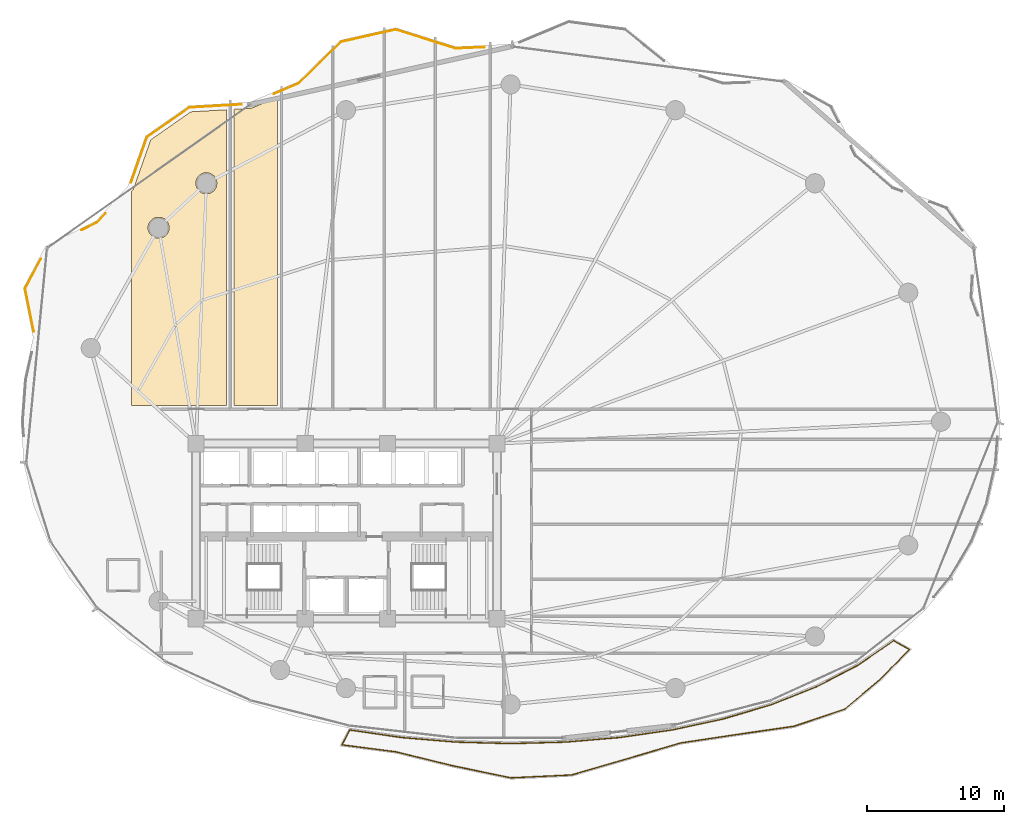
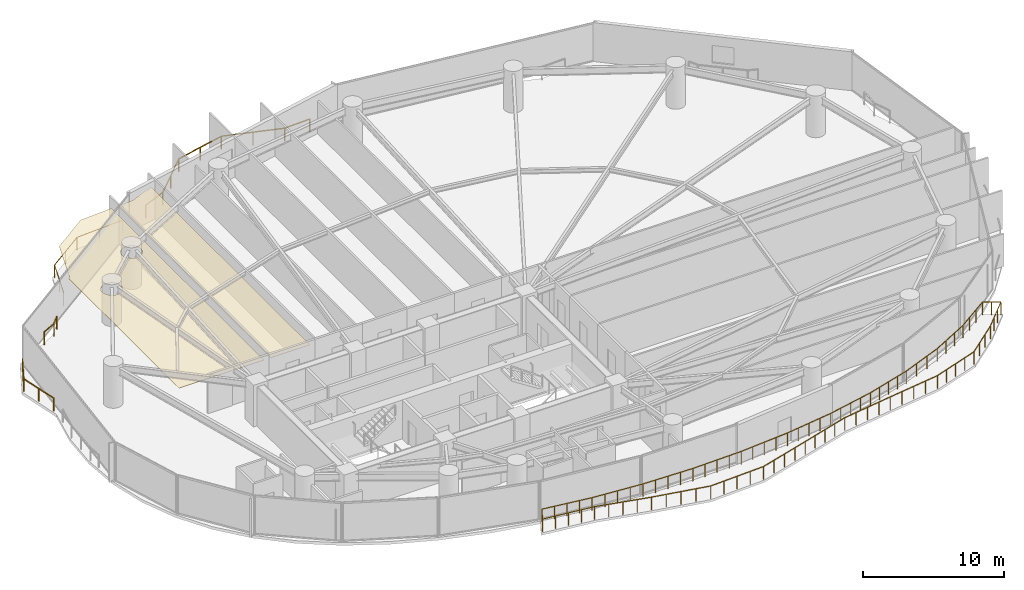
# One storey, part 31 of 32: 5 railings, 2 coverings.
"""IFC4 building model written with IfcOpenShell, lengths in metres."""

from ifc_helpers import new_model, si_unit, direction, frame, origin, origin_2d, place, context, subcontext, project, spatial, polyline, rectangle, outline, extrude, material, layer, layer_set, type_object, element, save


model = new_model("IFC4")

# Units and contexts
model_context = context("Model", 3, precision=1e-05, world=origin(), true_north=direction((0.0, 1.0)))
body_context = subcontext(model_context, "Body", "Model", "MODEL_VIEW")
ifc_project = project(units=[si_unit("LENGTHUNIT", "METRE"), si_unit("AREAUNIT", "SQUARE_METRE"), si_unit("VOLUMEUNIT", "CUBIC_METRE"), si_unit("PLANEANGLEUNIT", "RADIAN"), si_unit("MASSUNIT", "GRAM", prefix="KILO")], contexts=[model_context])

# Site, building, storey
site_placement = place(None, origin())
site = spatial("IfcSite", under=ifc_project, at=site_placement, CompositionType="ELEMENT")
building_placement = place(site_placement, origin())
building = spatial("IfcBuilding", under=site, at=building_placement, Name="Kazevale Care Tower and Concert Hall", CompositionType="ELEMENT")
storey_placement = place(building_placement, frame((0.0, 0.0, 34.800048828125)))
storey = spatial("IfcBuildingStorey", under=building, at=storey_placement, Name="L08", CompositionType="ELEMENT", Elevation=34.800048828125)

# Coverings
ifc_material_1 = material(Name="Acoustic Plaster and Hinoki Wood", Category="wood")
ifc_layer = layer(ifc_material_1, 0.0400390625)
ifc_layer_set = layer_set([ifc_layer], Name="Acoustic Plaster and Hinoki Wood")
covering_type = type_object("IfcCoveringType", Name="Acoustic Perforated Wood-Gypsum Ceiling", PredefinedType="CEILING", material=ifc_layer_set)
covering_1_placement = place(storey_placement, frame((0.0, 0.0, 2.7099609375)))
element("IfcCovering", 1, at=covering_1_placement, inside=storey, type_object=covering_type, Name="clg:L08:1", PredefinedType="CEILING", context=body_context, shape_type="SweptSolid", body=[
    extrude(outline(polyline([(24.219970703125, 60.805908203125), (24.219970703125, 39.205078125), (17.280029296875, 39.205078125), (17.280029296875, 54.822021484375), (17.4130859375, 54.966064453125), (18.69189453125, 58.60302734375), (21.6201171875, 60.652099609375), (24.219970703125, 60.805908203125)]), holes=[polyline([(23.48095703125, 55.72802734375), (23.31201171875, 55.98193359375), (23.05810546875, 56.15087890625), (22.760009765625, 56.2099609375), (22.4619140625, 56.15087890625), (22.2080078125, 55.98193359375), (22.0390625, 55.72802734375), (21.97998046875, 55.429931640625), (22.0390625, 55.132080078125), (22.2080078125, 54.8779296875), (22.4619140625, 54.708984375), (22.760009765625, 54.64990234375), (23.05810546875, 54.708984375), (23.31201171875, 54.8779296875), (23.48095703125, 55.132080078125), (23.5400390625, 55.429931640625), (23.48095703125, 55.72802734375)]), polyline([(20.034912109375, 52.33203125), (19.9189453125, 52.613037109375), (19.702880859375, 52.8291015625), (19.422119140625, 52.945068359375), (19.117919921875, 52.945068359375), (18.8369140625, 52.8291015625), (18.62109375, 52.613037109375), (18.5048828125, 52.33203125), (18.5048828125, 52.028076171875), (18.62109375, 51.7470703125), (18.8369140625, 51.531005859375), (19.117919921875, 51.4150390625), (19.422119140625, 51.4150390625), (19.702880859375, 51.531005859375), (19.9189453125, 51.7470703125), (20.034912109375, 52.028076171875), (20.034912109375, 52.33203125)])]), origin(), (0.0, 0.0, 1.0), 0.0400390625),
])
covering_2_placement = place(storey_placement, frame((0.0, 0.0, 2.7099609375)))
element("IfcCovering", 2, at=covering_2_placement, inside=storey, type_object=covering_type, Name="clg:L08:2", PredefinedType="CEILING", context=body_context, shape_type="SweptSolid", body=[
    extrude(outline(polyline([(24.780029296875, 39.205078125), (24.780029296875, 60.839111328125), (26.06005859375, 60.9150390625), (27.969970703125, 61.72900390625), (27.969970703125, 39.205078125), (24.780029296875, 39.205078125)])), origin(), (0.0, 0.0, 1.0), 0.0400390625),
])

# Railings
ifc_material_2 = material(Name="Anodised Bronze Aluminium and Laminated Glass", Category="aluminium")
railing_type = type_object("IfcRailingType", Name="Balcony and Terrace Balustrade 1120", PredefinedType="BALUSTRADE", material=ifc_material_2)
railing_1_placement = place(storey_placement, frame((10.15087890625, 44.5859375, 0.0)))
element("IfcRailing", 3, at=railing_1_placement, inside=storey, type_object=railing_type, Name="rail:L08:perim:2", PredefinedType="BALUSTRADE", context=body_context, shape_type="SweptSolid", body=[
    extrude(rectangle(XDim=0.048095703125, YDim=0.048095703125, at=origin_2d()), frame((0.0, 0.0, 1.09619140625), z_axis=(-0.197415517723, 0.980319903584, 0.0), x_axis=(-0.980319903584, -0.197415517723, 0.0)), (0.0, 0.0, 1.0), 3.21533203125),
    extrude(rectangle(XDim=0.048095703125, YDim=0.048095703125, at=origin_2d()), frame((-0.634765625, 3.152099609375, 1.09619140625), z_axis=(0.467294009077, 0.884101978892, 0.0), x_axis=(-0.884101978892, 0.467294009077, 0.0)), (0.0, 0.0, 1.0), 2.45654296875),
    extrude(rectangle(XDim=0.0419921875, YDim=0.0419921875, at=origin_2d()), origin(), (0.0, 0.0, 1.0), 1.072021484375),
    extrude(rectangle(XDim=0.0419921875, YDim=0.0419921875, at=origin_2d()), frame((-0.3173828125, 1.576171875, 0.0)), (0.0, 0.0, 1.0), 1.072021484375),
    extrude(rectangle(XDim=0.0419921875, YDim=0.0419921875, at=origin_2d()), frame((-0.634765625, 3.152099609375, 0.0)), (0.0, 0.0, 1.0), 1.072021484375),
    extrude(rectangle(XDim=0.0419921875, YDim=0.0419921875, at=origin_2d()), frame((-0.060791015625, 4.238037109375, 0.0)), (0.0, 0.0, 1.0), 1.072021484375),
    extrude(rectangle(XDim=0.0419921875, YDim=0.0419921875, at=origin_2d()), frame((0.51318359375, 5.323974609375, 0.0)), (0.0, 0.0, 1.0), 1.072021484375),
])
railing_2_placement = place(storey_placement, frame((13.639892578125, 52.0, 0.0)))
element("IfcRailing", 4, at=railing_2_placement, inside=storey, type_object=railing_type, Name="rail:L08:perim:3", PredefinedType="BALUSTRADE", context=body_context, shape_type="SweptSolid", body=[
    extrude(rectangle(XDim=0.048095703125, YDim=0.048095703125, at=origin_2d()), frame((0.0, 0.0, 1.09619140625), z_axis=(0.892998785329, 0.450059073235, 0.0), x_axis=(-0.450059073235, 0.892998785329, 0.0)), (0.0, 0.0, 1.0), 1.268798828125),
    extrude(rectangle(XDim=0.048095703125, YDim=0.048095703125, at=origin_2d()), frame((1.133056640625, 0.571044921875, 1.09619140625), z_axis=(0.677347108978, 0.735663573898, 0.0), x_axis=(-0.735663573898, 0.677347108978, 0.0)), (0.0, 0.0, 1.0), 0.8916015625),
    extrude(rectangle(XDim=0.0419921875, YDim=0.0419921875, at=origin_2d()), origin(), (0.0, 0.0, 1.0), 1.072021484375),
    extrude(rectangle(XDim=0.0419921875, YDim=0.0419921875, at=origin_2d()), frame((1.133056640625, 0.571044921875, 0.0)), (0.0, 0.0, 1.0), 1.072021484375),
    extrude(rectangle(XDim=0.0419921875, YDim=0.0419921875, at=origin_2d()), frame((1.737060546875, 1.22705078125, 0.0)), (0.0, 0.0, 1.0), 1.072021484375),
])
railing_3_placement = place(storey_placement, frame((17.256103515625, 55.485107421875, 0.0)))
element("IfcRailing", 5, at=railing_3_placement, inside=storey, type_object=railing_type, Name="rail:L08:perim:4", PredefinedType="BALUSTRADE", context=body_context, shape_type="SweptSolid", body=[
    extrude(rectangle(XDim=0.048095703125, YDim=0.048095703125, at=origin_2d()), frame((0.0, 0.0, 1.09619140625), z_axis=(0.331789638428, 0.943353399226, 0.0), x_axis=(-0.943353399226, 0.331789638428, 0.0)), (0.0, 0.0, 1.0), 3.520263671875),
    extrude(rectangle(XDim=0.048095703125, YDim=0.048095703125, at=origin_2d()), frame((1.16796875, 3.32080078125, 1.09619140625), z_axis=(0.819317150276, 0.573340568304, 0.0), x_axis=(-0.573340568304, 0.819317150276, 0.0)), (0.0, 0.0, 1.0), 3.767578125),
    extrude(rectangle(XDim=0.048095703125, YDim=0.048095703125, at=origin_2d()), frame((4.2548828125, 5.48095703125, 1.09619140625), z_axis=(0.998243706138, 0.05924105971, 0.0), x_axis=(-0.05924105971, 0.998243706138, 0.0)), (0.0, 0.0, 1.0), 3.832763671875),
    extrude(rectangle(XDim=0.0419921875, YDim=0.0419921875, at=origin_2d()), origin(), (0.0, 0.0, 1.0), 1.072021484375),
    extrude(rectangle(XDim=0.0419921875, YDim=0.0419921875, at=origin_2d()), frame((0.583984375, 1.660400390625, 0.0)), (0.0, 0.0, 1.0), 1.072021484375),
    extrude(rectangle(XDim=0.0419921875, YDim=0.0419921875, at=origin_2d()), frame((1.16796875, 3.32080078125, 0.0)), (0.0, 0.0, 1.0), 1.072021484375),
    extrude(rectangle(XDim=0.0419921875, YDim=0.0419921875, at=origin_2d()), frame((2.71142578125, 4.40087890625, 0.0)), (0.0, 0.0, 1.0), 1.072021484375),
    extrude(rectangle(XDim=0.0419921875, YDim=0.0419921875, at=origin_2d()), frame((4.2548828125, 5.48095703125, 0.0)), (0.0, 0.0, 1.0), 1.072021484375),
    extrude(rectangle(XDim=0.0419921875, YDim=0.0419921875, at=origin_2d()), frame((6.16796875, 5.594482421875, 0.0)), (0.0, 0.0, 1.0), 1.072021484375),
    extrude(rectangle(XDim=0.0419921875, YDim=0.0419921875, at=origin_2d()), frame((8.080810546875, 5.7080078125, 0.0)), (0.0, 0.0, 1.0), 1.072021484375),
])
railing_4_placement = place(storey_placement, frame((27.69091796875, 61.9580078125, 0.0)))
element("IfcRailing", 6, at=railing_4_placement, inside=storey, type_object=railing_type, Name="rail:L08:perim:5", PredefinedType="BALUSTRADE", context=body_context, shape_type="SweptSolid", body=[
    extrude(rectangle(XDim=0.048095703125, YDim=0.048095703125, at=origin_2d()), frame((0.0, 0.0, 1.09619140625), z_axis=(0.920032063091, 0.391843084517, 0.0), x_axis=(-0.391843084517, 0.920032063091, 0.0)), (0.0, 0.0, 1.0), 2.01611328125),
    extrude(rectangle(XDim=0.048095703125, YDim=0.048095703125, at=origin_2d()), frame((1.85498046875, 0.7900390625, 1.09619140625), z_axis=(0.711782228396, 0.702400213083, 0.0), x_axis=(-0.702400213083, 0.711782228396, 0.0)), (0.0, 0.0, 1.0), 4.293701171875),
    extrude(rectangle(XDim=0.048095703125, YDim=0.048095703125, at=origin_2d()), frame((4.9111328125, 3.805908203125, 1.09619140625), z_axis=(0.975507116128, 0.219967875798, 0.0), x_axis=(-0.219967875798, 0.975507116128, 0.0)), (0.0, 0.0, 1.0), 4.09228515625),
    extrude(rectangle(XDim=0.048095703125, YDim=0.048095703125, at=origin_2d()), frame((8.903076171875, 4.7060546875, 1.09619140625), z_axis=(0.953872379176, -0.300212398553, 0.0), x_axis=(0.300212398553, 0.953872379176, 0.0)), (0.0, 0.0, 1.0), 4.590576171875),
    extrude(rectangle(XDim=0.048095703125, YDim=0.048095703125, at=origin_2d()), frame((13.281982421875, 3.327880859375, 1.09619140625), z_axis=(0.999070924125, 0.043096270926, 0.0), x_axis=(-0.043096270926, 0.999070924125, 0.0)), (0.0, 0.0, 1.0), 2.113037109375),
    extrude(rectangle(XDim=0.0419921875, YDim=0.0419921875, at=origin_2d()), origin(), (0.0, 0.0, 1.0), 1.072021484375),
    extrude(rectangle(XDim=0.0419921875, YDim=0.0419921875, at=origin_2d()), frame((1.85498046875, 0.7900390625, 0.0)), (0.0, 0.0, 1.0), 1.072021484375),
    extrude(rectangle(XDim=0.0419921875, YDim=0.0419921875, at=origin_2d()), frame((3.383056640625, 2.2978515625, 0.0)), (0.0, 0.0, 1.0), 1.072021484375),
    extrude(rectangle(XDim=0.0419921875, YDim=0.0419921875, at=origin_2d()), frame((4.9111328125, 3.805908203125, 0.0)), (0.0, 0.0, 1.0), 1.072021484375),
    extrude(rectangle(XDim=0.0419921875, YDim=0.0419921875, at=origin_2d()), frame((6.9072265625, 4.255859375, 0.0)), (0.0, 0.0, 1.0), 1.072021484375),
    extrude(rectangle(XDim=0.0419921875, YDim=0.0419921875, at=origin_2d()), frame((8.903076171875, 4.7060546875, 0.0)), (0.0, 0.0, 1.0), 1.072021484375),
    extrude(rectangle(XDim=0.0419921875, YDim=0.0419921875, at=origin_2d()), frame((11.092529296875, 4.01708984375, 0.0)), (0.0, 0.0, 1.0), 1.072021484375),
    extrude(rectangle(XDim=0.0419921875, YDim=0.0419921875, at=origin_2d()), frame((13.281982421875, 3.327880859375, 0.0)), (0.0, 0.0, 1.0), 1.072021484375),
    extrude(rectangle(XDim=0.0419921875, YDim=0.0419921875, at=origin_2d()), frame((15.39306640625, 3.4189453125, 0.0)), (0.0, 0.0, 1.0), 1.072021484375),
])
railing_5_placement = place(storey_placement, frame((33.239990234375, 15.469970703125, 0.0)))
element("IfcRailing", 7, at=railing_5_placement, inside=storey, type_object=railing_type, Name="rail:L08:balcony", PredefinedType="BALUSTRADE", context=body_context, shape_type="SweptSolid", body=[
    extrude(rectangle(XDim=0.048095703125, YDim=0.048095703125, at=origin_2d()), frame((0.0, 0.0, 1.09619140625), z_axis=(0.98954153526, -0.144248223541, 0.0), x_axis=(0.144248223541, 0.98954153526, 0.0)), (0.0, 0.0, 1.0), 3.820068359375),
    extrude(rectangle(XDim=0.048095703125, YDim=0.048095703125, at=origin_2d()), frame((3.780029296875, -0.551025390625, 1.09619140625), z_axis=(0.996491809711, -0.083690341016, 0.0), x_axis=(0.083690341016, 0.996491809711, 0.0)), (0.0, 0.0, 1.0), 3.97900390625),
    extrude(rectangle(XDim=0.048095703125, YDim=0.048095703125, at=origin_2d()), frame((7.7451171875, -0.884033203125, 1.09619140625), z_axis=(0.999619139625, -0.027596660954, 0.0), x_axis=(0.027596660954, 0.999619139625, 0.0)), (0.0, 0.0, 1.0), 4.016357421875),
    extrude(rectangle(XDim=0.048095703125, YDim=0.048095703125, at=origin_2d()), frame((11.760009765625, -0.994873046875, 1.09619140625), z_axis=(0.999619139625, 0.027596660954, 0.0), x_axis=(-0.027596660954, 0.999619139625, 0.0)), (0.0, 0.0, 1.0), 4.016357421875),
    extrude(rectangle(XDim=0.048095703125, YDim=0.048095703125, at=origin_2d()), frame((15.77490234375, -0.884033203125, 1.09619140625), z_axis=(0.996491809711, 0.083690341016, 0.0), x_axis=(-0.083690341016, 0.996491809711, 0.0)), (0.0, 0.0, 1.0), 3.97900390625),
    extrude(rectangle(XDim=0.048095703125, YDim=0.048095703125, at=origin_2d()), frame((19.739990234375, -0.551025390625, 1.09619140625), z_axis=(0.989562148583, 0.144106745477, 0.0), x_axis=(-0.144106745477, 0.989562148583, 0.0)), (0.0, 0.0, 1.0), 3.90673828125),
    extrude(rectangle(XDim=0.048095703125, YDim=0.048095703125, at=origin_2d()), frame((23.60595703125, 0.011962890625, 1.09619140625), z_axis=(0.977622623243, 0.210366362622, 0.0), x_axis=(-0.210366362622, 0.977622623243, 0.0)), (0.0, 0.0, 1.0), 3.80322265625),
    extrude(rectangle(XDim=0.048095703125, YDim=0.048095703125, at=origin_2d()), frame((27.323974609375, 0.81201171875, 1.09619140625), z_axis=(0.958576059845, 0.28483668565, 0.0), x_axis=(-0.28483668565, 0.958576059845, 0.0)), (0.0, 0.0, 1.0), 3.67626953125),
    extrude(rectangle(XDim=0.048095703125, YDim=0.048095703125, at=origin_2d()), frame((30.847900390625, 1.859130859375, 1.09619140625), z_axis=(0.929364745906, 0.369162794803, 0.0), x_axis=(-0.369162794803, 0.929364745906, 0.0)), (0.0, 0.0, 1.0), 3.534912109375),
    extrude(rectangle(XDim=0.048095703125, YDim=0.048095703125, at=origin_2d()), frame((34.133056640625, 3.1640625, 1.09619140625), z_axis=(0.886249621896, 0.463207952965, 0.0), x_axis=(-0.463207952965, 0.886249621896, 0.0)), (0.0, 0.0, 1.0), 3.3916015625),
    extrude(rectangle(XDim=0.048095703125, YDim=0.048095703125, at=origin_2d()), frame((37.138916015625, 4.735107421875, 1.09619140625), z_axis=(0.825224295989, 0.564805153402, 0.0), x_axis=(-0.564805153402, 0.825224295989, 0.0)), (0.0, 0.0, 1.0), 3.17626953125),
    extrude(rectangle(XDim=0.048095703125, YDim=0.048095703125, at=origin_2d()), frame((39.760009765625, 6.529052734375, 1.09619140625), z_axis=(0.870142170269, -0.492800774673, 0.0), x_axis=(0.492800774673, 0.870142170269, 0.0)), (0.0, 0.0, 1.0), 1.308837890625),
    extrude(rectangle(XDim=0.048095703125, YDim=0.048095703125, at=origin_2d()), frame((40.89892578125, 5.884033203125, 1.09619140625), z_axis=(-0.695721865132, -0.718311274016, 0.0), x_axis=(0.718311274016, -0.695721865132, 0.0)), (0.0, 0.0, 1.0), 3.05859375),
    extrude(rectangle(XDim=0.048095703125, YDim=0.048095703125, at=origin_2d()), frame((38.77099609375, 3.68701171875, 1.09619140625), z_axis=(-0.767634241032, -0.640888189932, 0.0), x_axis=(0.640888189932, -0.767634241032, 0.0)), (0.0, 0.0, 1.0), 3.376708984375),
    extrude(rectangle(XDim=0.048095703125, YDim=0.048095703125, at=origin_2d()), frame((36.178955078125, 1.52294921875, 1.09619140625), z_axis=(-0.947403436309, -0.320041761133, 0.0), x_axis=(0.320041761133, -0.947403436309, 0.0)), (0.0, 0.0, 1.0), 3.914794921875),
    extrude(rectangle(XDim=0.048095703125, YDim=0.048095703125, at=origin_2d()), frame((32.469970703125, 0.27001953125, 1.09619140625), z_axis=(-0.989839823031, -0.142186935905, 0.0), x_axis=(0.142186935905, -0.989839823031, 0.0)), (0.0, 0.0, 1.0), 4.240966796875),
    extrude(rectangle(XDim=0.048095703125, YDim=0.048095703125, at=origin_2d()), frame((28.27197265625, -0.3330078125, 1.09619140625), z_axis=(-0.988905087937, -0.148548736289, 0.0), x_axis=(0.148548736289, -0.988905087937, 0.0)), (0.0, 0.0, 1.0), 4.126953125),
    extrude(rectangle(XDim=0.048095703125, YDim=0.048095703125, at=origin_2d()), frame((24.19091796875, -0.946044921875, 1.09619140625), z_axis=(-0.958908826329, -0.283714403561, 0.0), x_axis=(0.283714403561, -0.958908826329, 0.0)), (0.0, 0.0, 1.0), 4.046142578125),
    extrude(rectangle(XDim=0.048095703125, YDim=0.048095703125, at=origin_2d()), frame((20.31103515625, -2.093994140625, 1.09619140625), z_axis=(-0.960174974734, -0.279399387785, 0.0), x_axis=(0.279399387785, -0.960174974734, 0.0)), (0.0, 0.0, 1.0), 4.27734375),
    extrude(rectangle(XDim=0.048095703125, YDim=0.048095703125, at=origin_2d()), frame((16.2041015625, -3.2890625, 1.09619140625), z_axis=(-0.99890148555, -0.046859600577, 0.0), x_axis=(0.046859600577, -0.99890148555, 0.0)), (0.0, 0.0, 1.0), 4.43896484375),
    extrude(rectangle(XDim=0.048095703125, YDim=0.048095703125, at=origin_2d()), frame((11.77001953125, -3.4970703125, 1.09619140625), z_axis=(-0.978962039313, 0.204042460247, 0.0), x_axis=(-0.204042460247, -0.978962039313, 0.0)), (0.0, 0.0, 1.0), 4.421142578125),
    extrude(rectangle(XDim=0.048095703125, YDim=0.048095703125, at=origin_2d()), frame((7.44189453125, -2.594970703125, 1.09619140625), z_axis=(-0.971211606487, 0.238218419574, 0.0), x_axis=(-0.238218419574, -0.971211606487, 0.0)), (0.0, 0.0, 1.0), 4.19384765625),
    extrude(rectangle(XDim=0.048095703125, YDim=0.048095703125, at=origin_2d()), frame((3.368896484375, -1.595947265625, 1.09619140625), z_axis=(-0.991702506662, 0.128554028641, 0.0), x_axis=(-0.128554028641, -0.991702506662, 0.0)), (0.0, 0.0, 1.0), 3.974853515625),
    extrude(rectangle(XDim=0.048095703125, YDim=0.048095703125, at=origin_2d()), frame((-0.572998046875, -1.0849609375, 1.09619140625), z_axis=(0.467000689619, 0.884256951285, 0.0), x_axis=(-0.884256951285, 0.467000689619, 0.0)), (0.0, 0.0, 1.0), 1.22705078125),
    extrude(rectangle(XDim=0.0419921875, YDim=0.0419921875, at=origin_2d()), origin(), (0.0, 0.0, 1.0), 1.072021484375),
    extrude(rectangle(XDim=0.0419921875, YDim=0.0419921875, at=origin_2d()), frame((0.945068359375, -0.1376953125, 0.0)), (0.0, 0.0, 1.0), 1.072021484375),
    extrude(rectangle(XDim=0.0419921875, YDim=0.0419921875, at=origin_2d()), frame((1.89013671875, -0.275390625, 0.0)), (0.0, 0.0, 1.0), 1.072021484375),
    extrude(rectangle(XDim=0.0419921875, YDim=0.0419921875, at=origin_2d()), frame((2.8349609375, -0.413330078125, 0.0)), (0.0, 0.0, 1.0), 1.072021484375),
    extrude(rectangle(XDim=0.0419921875, YDim=0.0419921875, at=origin_2d()), frame((3.780029296875, -0.551025390625, 0.0)), (0.0, 0.0, 1.0), 1.072021484375),
    extrude(rectangle(XDim=0.0419921875, YDim=0.0419921875, at=origin_2d()), frame((4.771240234375, -0.63427734375, 0.0)), (0.0, 0.0, 1.0), 1.072021484375),
    extrude(rectangle(XDim=0.0419921875, YDim=0.0419921875, at=origin_2d()), frame((5.7626953125, -0.717529296875, 0.0)), (0.0, 0.0, 1.0), 1.072021484375),
    extrude(rectangle(XDim=0.0419921875, YDim=0.0419921875, at=origin_2d()), frame((6.75390625, -0.80078125, 0.0)), (0.0, 0.0, 1.0), 1.072021484375),
    extrude(rectangle(XDim=0.0419921875, YDim=0.0419921875, at=origin_2d()), frame((7.7451171875, -0.884033203125, 0.0)), (0.0, 0.0, 1.0), 1.072021484375),
    extrude(rectangle(XDim=0.0419921875, YDim=0.0419921875, at=origin_2d()), frame((8.748779296875, -0.91162109375, 0.0)), (0.0, 0.0, 1.0), 1.072021484375),
    extrude(rectangle(XDim=0.0419921875, YDim=0.0419921875, at=origin_2d()), frame((9.75244140625, -0.939453125, 0.0)), (0.0, 0.0, 1.0), 1.072021484375),
    extrude(rectangle(XDim=0.0419921875, YDim=0.0419921875, at=origin_2d()), frame((10.75634765625, -0.96728515625, 0.0)), (0.0, 0.0, 1.0), 1.072021484375),
    extrude(rectangle(XDim=0.0419921875, YDim=0.0419921875, at=origin_2d()), frame((11.760009765625, -0.994873046875, 0.0)), (0.0, 0.0, 1.0), 1.072021484375),
    extrude(rectangle(XDim=0.0419921875, YDim=0.0419921875, at=origin_2d()), frame((12.763671875, -0.96728515625, 0.0)), (0.0, 0.0, 1.0), 1.072021484375),
    extrude(rectangle(XDim=0.0419921875, YDim=0.0419921875, at=origin_2d()), frame((13.767578125, -0.939453125, 0.0)), (0.0, 0.0, 1.0), 1.072021484375),
    extrude(rectangle(XDim=0.0419921875, YDim=0.0419921875, at=origin_2d()), frame((14.771240234375, -0.91162109375, 0.0)), (0.0, 0.0, 1.0), 1.072021484375),
    extrude(rectangle(XDim=0.0419921875, YDim=0.0419921875, at=origin_2d()), frame((15.77490234375, -0.884033203125, 0.0)), (0.0, 0.0, 1.0), 1.072021484375),
    extrude(rectangle(XDim=0.0419921875, YDim=0.0419921875, at=origin_2d()), frame((16.76611328125, -0.80078125, 0.0)), (0.0, 0.0, 1.0), 1.072021484375),
    extrude(rectangle(XDim=0.0419921875, YDim=0.0419921875, at=origin_2d()), frame((17.75732421875, -0.717529296875, 0.0)), (0.0, 0.0, 1.0), 1.072021484375),
    extrude(rectangle(XDim=0.0419921875, YDim=0.0419921875, at=origin_2d()), frame((18.748779296875, -0.63427734375, 0.0)), (0.0, 0.0, 1.0), 1.072021484375),
    extrude(rectangle(XDim=0.0419921875, YDim=0.0419921875, at=origin_2d()), frame((19.739990234375, -0.551025390625, 0.0)), (0.0, 0.0, 1.0), 1.072021484375),
    extrude(rectangle(XDim=0.0419921875, YDim=0.0419921875, at=origin_2d()), frame((20.70654296875, -0.41015625, 0.0)), (0.0, 0.0, 1.0), 1.072021484375),
    extrude(rectangle(XDim=0.0419921875, YDim=0.0419921875, at=origin_2d()), frame((21.6728515625, -0.26953125, 0.0)), (0.0, 0.0, 1.0), 1.072021484375),
    extrude(rectangle(XDim=0.0419921875, YDim=0.0419921875, at=origin_2d()), frame((22.639404296875, -0.12890625, 0.0)), (0.0, 0.0, 1.0), 1.072021484375),
    extrude(rectangle(XDim=0.0419921875, YDim=0.0419921875, at=origin_2d()), frame((23.60595703125, 0.011962890625, 0.0)), (0.0, 0.0, 1.0), 1.072021484375),
    extrude(rectangle(XDim=0.0419921875, YDim=0.0419921875, at=origin_2d()), frame((24.535400390625, 0.2119140625, 0.0)), (0.0, 0.0, 1.0), 1.072021484375),
    extrude(rectangle(XDim=0.0419921875, YDim=0.0419921875, at=origin_2d()), frame((25.46484375, 0.412109375, 0.0)), (0.0, 0.0, 1.0), 1.072021484375),
    extrude(rectangle(XDim=0.0419921875, YDim=0.0419921875, at=origin_2d()), frame((26.39453125, 0.612060546875, 0.0)), (0.0, 0.0, 1.0), 1.072021484375),
    extrude(rectangle(XDim=0.0419921875, YDim=0.0419921875, at=origin_2d()), frame((27.323974609375, 0.81201171875, 0.0)), (0.0, 0.0, 1.0), 1.072021484375),
    extrude(rectangle(XDim=0.0419921875, YDim=0.0419921875, at=origin_2d()), frame((28.205078125, 1.07373046875, 0.0)), (0.0, 0.0, 1.0), 1.072021484375),
    extrude(rectangle(XDim=0.0419921875, YDim=0.0419921875, at=origin_2d()), frame((29.0859375, 1.33544921875, 0.0)), (0.0, 0.0, 1.0), 1.072021484375),
    extrude(rectangle(XDim=0.0419921875, YDim=0.0419921875, at=origin_2d()), frame((29.966796875, 1.597412109375, 0.0)), (0.0, 0.0, 1.0), 1.072021484375),
    extrude(rectangle(XDim=0.0419921875, YDim=0.0419921875, at=origin_2d()), frame((30.847900390625, 1.859130859375, 0.0)), (0.0, 0.0, 1.0), 1.072021484375),
    extrude(rectangle(XDim=0.0419921875, YDim=0.0419921875, at=origin_2d()), frame((31.94287109375, 2.294189453125, 0.0)), (0.0, 0.0, 1.0), 1.072021484375),
    extrude(rectangle(XDim=0.0419921875, YDim=0.0419921875, at=origin_2d()), frame((33.0380859375, 2.72900390625, 0.0)), (0.0, 0.0, 1.0), 1.072021484375),
    extrude(rectangle(XDim=0.0419921875, YDim=0.0419921875, at=origin_2d()), frame((34.133056640625, 3.1640625, 0.0)), (0.0, 0.0, 1.0), 1.072021484375),
    extrude(rectangle(XDim=0.0419921875, YDim=0.0419921875, at=origin_2d()), frame((35.135009765625, 3.687744140625, 0.0)), (0.0, 0.0, 1.0), 1.072021484375),
    extrude(rectangle(XDim=0.0419921875, YDim=0.0419921875, at=origin_2d()), frame((36.136962890625, 4.21142578125, 0.0)), (0.0, 0.0, 1.0), 1.072021484375),
    extrude(rectangle(XDim=0.0419921875, YDim=0.0419921875, at=origin_2d()), frame((37.138916015625, 4.735107421875, 0.0)), (0.0, 0.0, 1.0), 1.072021484375),
    extrude(rectangle(XDim=0.0419921875, YDim=0.0419921875, at=origin_2d()), frame((38.0126953125, 5.3330078125, 0.0)), (0.0, 0.0, 1.0), 1.072021484375),
    extrude(rectangle(XDim=0.0419921875, YDim=0.0419921875, at=origin_2d()), frame((38.88623046875, 5.93115234375, 0.0)), (0.0, 0.0, 1.0), 1.072021484375),
    extrude(rectangle(XDim=0.0419921875, YDim=0.0419921875, at=origin_2d()), frame((39.760009765625, 6.529052734375, 0.0)), (0.0, 0.0, 1.0), 1.072021484375),
    extrude(rectangle(XDim=0.0419921875, YDim=0.0419921875, at=origin_2d()), frame((40.32958984375, 6.20654296875, 0.0)), (0.0, 0.0, 1.0), 1.072021484375),
    extrude(rectangle(XDim=0.0419921875, YDim=0.0419921875, at=origin_2d()), frame((40.89892578125, 5.884033203125, 0.0)), (0.0, 0.0, 1.0), 1.072021484375),
    extrude(rectangle(XDim=0.0419921875, YDim=0.0419921875, at=origin_2d()), frame((40.189697265625, 5.151611328125, 0.0)), (0.0, 0.0, 1.0), 1.072021484375),
    extrude(rectangle(XDim=0.0419921875, YDim=0.0419921875, at=origin_2d()), frame((39.480224609375, 4.41943359375, 0.0)), (0.0, 0.0, 1.0), 1.072021484375),
    extrude(rectangle(XDim=0.0419921875, YDim=0.0419921875, at=origin_2d()), frame((38.77099609375, 3.68701171875, 0.0)), (0.0, 0.0, 1.0), 1.072021484375),
    extrude(rectangle(XDim=0.0419921875, YDim=0.0419921875, at=origin_2d()), frame((37.906982421875, 2.965576171875, 0.0)), (0.0, 0.0, 1.0), 1.072021484375),
    extrude(rectangle(XDim=0.0419921875, YDim=0.0419921875, at=origin_2d()), frame((37.04296875, 2.244384765625, 0.0)), (0.0, 0.0, 1.0), 1.072021484375),
    extrude(rectangle(XDim=0.0419921875, YDim=0.0419921875, at=origin_2d()), frame((36.178955078125, 1.52294921875, 0.0)), (0.0, 0.0, 1.0), 1.072021484375),
    extrude(rectangle(XDim=0.0419921875, YDim=0.0419921875, at=origin_2d()), frame((35.251708984375, 1.209716796875, 0.0)), (0.0, 0.0, 1.0), 1.072021484375),
    extrude(rectangle(XDim=0.0419921875, YDim=0.0419921875, at=origin_2d()), frame((34.324462890625, 0.896484375, 0.0)), (0.0, 0.0, 1.0), 1.072021484375),
    extrude(rectangle(XDim=0.0419921875, YDim=0.0419921875, at=origin_2d()), frame((33.397216796875, 0.583251953125, 0.0)), (0.0, 0.0, 1.0), 1.072021484375),
    extrude(rectangle(XDim=0.0419921875, YDim=0.0419921875, at=origin_2d()), frame((32.469970703125, 0.27001953125, 0.0)), (0.0, 0.0, 1.0), 1.072021484375),
    extrude(rectangle(XDim=0.0419921875, YDim=0.0419921875, at=origin_2d()), frame((31.42041015625, 0.119140625, 0.0)), (0.0, 0.0, 1.0), 1.072021484375),
    extrude(rectangle(XDim=0.0419921875, YDim=0.0419921875, at=origin_2d()), frame((30.37109375, -0.031494140625, 0.0)), (0.0, 0.0, 1.0), 1.072021484375),
    extrude(rectangle(XDim=0.0419921875, YDim=0.0419921875, at=origin_2d()), frame((29.321533203125, -0.18212890625, 0.0)), (0.0, 0.0, 1.0), 1.072021484375),
    extrude(rectangle(XDim=0.0419921875, YDim=0.0419921875, at=origin_2d()), frame((28.27197265625, -0.3330078125, 0.0)), (0.0, 0.0, 1.0), 1.072021484375),
    extrude(rectangle(XDim=0.0419921875, YDim=0.0419921875, at=origin_2d()), frame((27.251708984375, -0.486328125, 0.0)), (0.0, 0.0, 1.0), 1.072021484375),
    extrude(rectangle(XDim=0.0419921875, YDim=0.0419921875, at=origin_2d()), frame((26.2314453125, -0.6396484375, 0.0)), (0.0, 0.0, 1.0), 1.072021484375),
    extrude(rectangle(XDim=0.0419921875, YDim=0.0419921875, at=origin_2d()), frame((25.211181640625, -0.792724609375, 0.0)), (0.0, 0.0, 1.0), 1.072021484375),
    extrude(rectangle(XDim=0.0419921875, YDim=0.0419921875, at=origin_2d()), frame((24.19091796875, -0.946044921875, 0.0)), (0.0, 0.0, 1.0), 1.072021484375),
    extrude(rectangle(XDim=0.0419921875, YDim=0.0419921875, at=origin_2d()), frame((23.220947265625, -1.23291015625, 0.0)), (0.0, 0.0, 1.0), 1.072021484375),
    extrude(rectangle(XDim=0.0419921875, YDim=0.0419921875, at=origin_2d()), frame((22.2509765625, -1.52001953125, 0.0)), (0.0, 0.0, 1.0), 1.072021484375),
    extrude(rectangle(XDim=0.0419921875, YDim=0.0419921875, at=origin_2d()), frame((21.281005859375, -1.80712890625, 0.0)), (0.0, 0.0, 1.0), 1.072021484375),
    extrude(rectangle(XDim=0.0419921875, YDim=0.0419921875, at=origin_2d()), frame((20.31103515625, -2.093994140625, 0.0)), (0.0, 0.0, 1.0), 1.072021484375),
    extrude(rectangle(XDim=0.0419921875, YDim=0.0419921875, at=origin_2d()), frame((19.2841796875, -2.392822265625, 0.0)), (0.0, 0.0, 1.0), 1.072021484375),
    extrude(rectangle(XDim=0.0419921875, YDim=0.0419921875, at=origin_2d()), frame((18.257568359375, -2.69140625, 0.0)), (0.0, 0.0, 1.0), 1.072021484375),
    extrude(rectangle(XDim=0.0419921875, YDim=0.0419921875, at=origin_2d()), frame((17.23095703125, -2.990234375, 0.0)), (0.0, 0.0, 1.0), 1.072021484375),
    extrude(rectangle(XDim=0.0419921875, YDim=0.0419921875, at=origin_2d()), frame((16.2041015625, -3.2890625, 0.0)), (0.0, 0.0, 1.0), 1.072021484375),
    extrude(rectangle(XDim=0.0419921875, YDim=0.0419921875, at=origin_2d()), frame((15.095703125, -3.341064453125, 0.0)), (0.0, 0.0, 1.0), 1.072021484375),
    extrude(rectangle(XDim=0.0419921875, YDim=0.0419921875, at=origin_2d()), frame((13.987060546875, -3.39306640625, 0.0)), (0.0, 0.0, 1.0), 1.072021484375),
    extrude(rectangle(XDim=0.0419921875, YDim=0.0419921875, at=origin_2d()), frame((12.87841796875, -3.445068359375, 0.0)), (0.0, 0.0, 1.0), 1.072021484375),
    extrude(rectangle(XDim=0.0419921875, YDim=0.0419921875, at=origin_2d()), frame((11.77001953125, -3.4970703125, 0.0)), (0.0, 0.0, 1.0), 1.072021484375),
    extrude(rectangle(XDim=0.0419921875, YDim=0.0419921875, at=origin_2d()), frame((10.68798828125, -3.271484375, 0.0)), (0.0, 0.0, 1.0), 1.072021484375),
    extrude(rectangle(XDim=0.0419921875, YDim=0.0419921875, at=origin_2d()), frame((9.60595703125, -3.0458984375, 0.0)), (0.0, 0.0, 1.0), 1.072021484375),
    extrude(rectangle(XDim=0.0419921875, YDim=0.0419921875, at=origin_2d()), frame((8.52392578125, -2.820556640625, 0.0)), (0.0, 0.0, 1.0), 1.072021484375),
    extrude(rectangle(XDim=0.0419921875, YDim=0.0419921875, at=origin_2d()), frame((7.44189453125, -2.594970703125, 0.0)), (0.0, 0.0, 1.0), 1.072021484375),
    extrude(rectangle(XDim=0.0419921875, YDim=0.0419921875, at=origin_2d()), frame((6.423583984375, -2.34521484375, 0.0)), (0.0, 0.0, 1.0), 1.072021484375),
    extrude(rectangle(XDim=0.0419921875, YDim=0.0419921875, at=origin_2d()), frame((5.4052734375, -2.095458984375, 0.0)), (0.0, 0.0, 1.0), 1.072021484375),
    extrude(rectangle(XDim=0.0419921875, YDim=0.0419921875, at=origin_2d()), frame((4.38720703125, -1.845703125, 0.0)), (0.0, 0.0, 1.0), 1.072021484375),
    extrude(rectangle(XDim=0.0419921875, YDim=0.0419921875, at=origin_2d()), frame((3.368896484375, -1.595947265625, 0.0)), (0.0, 0.0, 1.0), 1.072021484375),
    extrude(rectangle(XDim=0.0419921875, YDim=0.0419921875, at=origin_2d()), frame((2.38330078125, -1.46826171875, 0.0)), (0.0, 0.0, 1.0), 1.072021484375),
    extrude(rectangle(XDim=0.0419921875, YDim=0.0419921875, at=origin_2d()), frame((1.39794921875, -1.34033203125, 0.0)), (0.0, 0.0, 1.0), 1.072021484375),
    extrude(rectangle(XDim=0.0419921875, YDim=0.0419921875, at=origin_2d()), frame((0.41259765625, -1.212646484375, 0.0)), (0.0, 0.0, 1.0), 1.072021484375),
    extrude(rectangle(XDim=0.0419921875, YDim=0.0419921875, at=origin_2d()), frame((-0.572998046875, -1.0849609375, 0.0)), (0.0, 0.0, 1.0), 1.072021484375),
    extrude(rectangle(XDim=0.0419921875, YDim=0.0419921875, at=origin_2d()), frame((-0.28662109375, -0.54248046875, 0.0)), (0.0, 0.0, 1.0), 1.072021484375),
])

save(model, "model.ifc")
